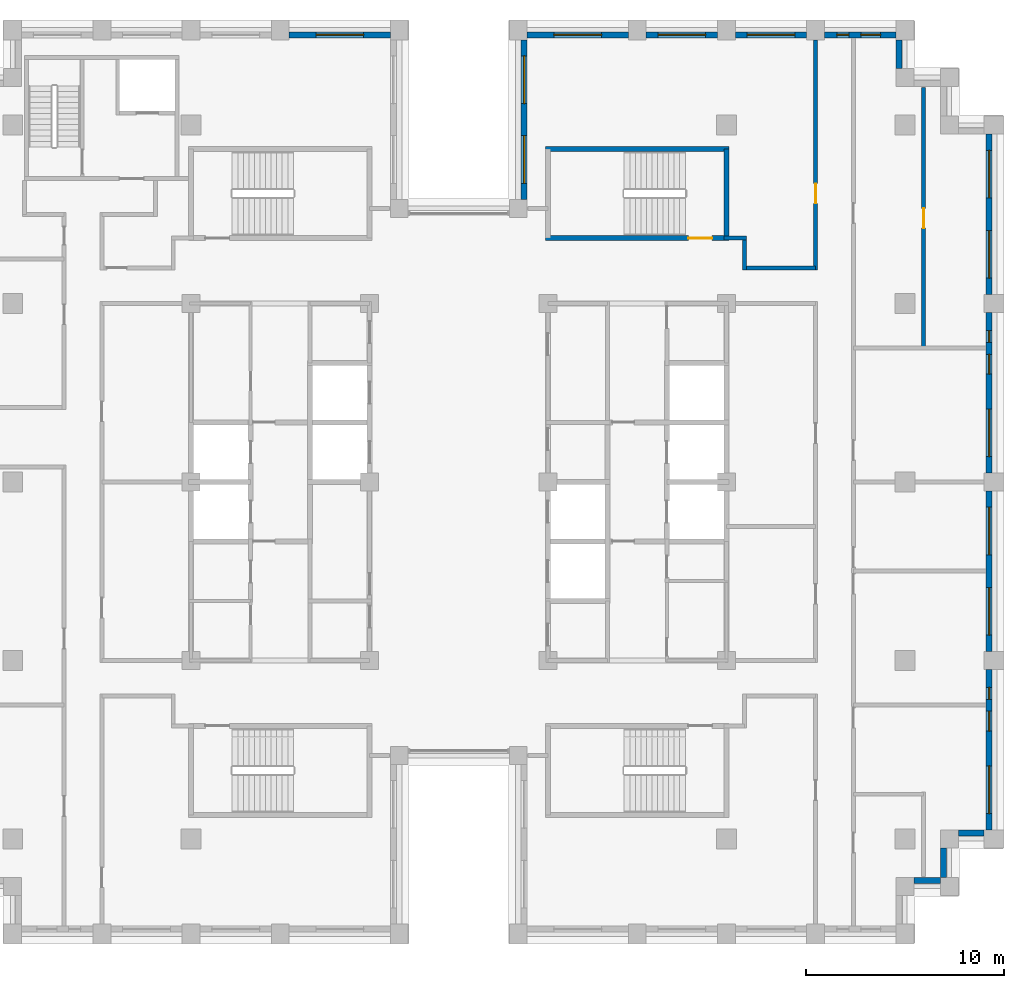
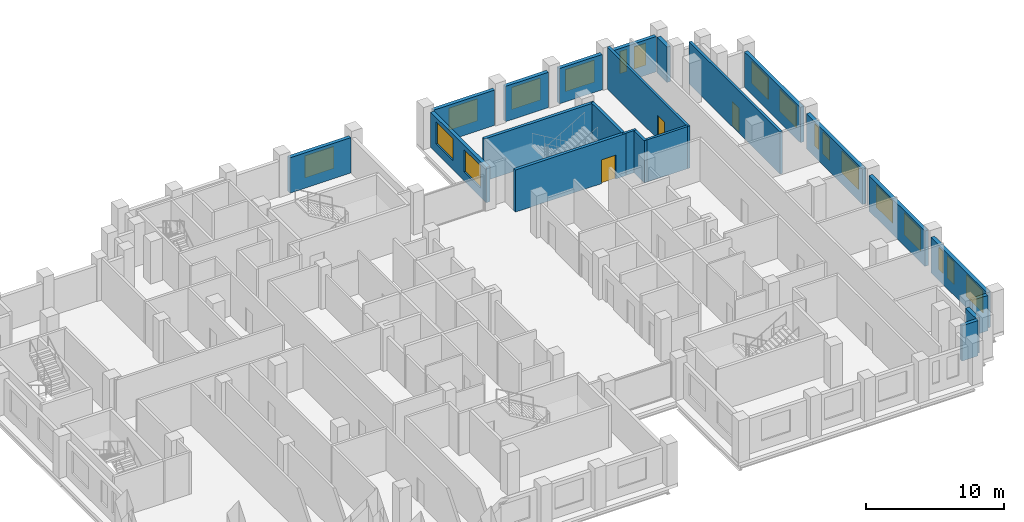
# One storey, part 11 of 15: 22 walls, 18 windows, 3 doors, 21 openings.
"""IFC4 building model written with IfcOpenShell, lengths in metres."""

from ifc_helpers import new_model, si_unit, direction, frame, frame_2d, origin, place, context, subcontext, project, spatial, rectangle, extrude, material, layer, layer_set, type_object, element, fill, save


model = new_model("IFC4")

# Units and contexts
model_context = context("Model", 3, precision=1e-05, world=origin(), true_north=direction((0.0, 1.0)))
body_context = subcontext(model_context, "Body", "Model", "MODEL_VIEW")
ifc_project = project(units=[si_unit("LENGTHUNIT", "METRE"), si_unit("AREAUNIT", "SQUARE_METRE"), si_unit("VOLUMEUNIT", "CUBIC_METRE"), si_unit("PLANEANGLEUNIT", "RADIAN"), si_unit("MASSUNIT", "GRAM", prefix="KILO")], contexts=[model_context])

# Site, building, storey
site_placement = place(None, origin())
site = spatial("IfcSite", under=ifc_project, at=site_placement, CompositionType="ELEMENT")
building_placement = place(site_placement, origin())
building = spatial("IfcBuilding", under=site, at=building_placement, Name="Corbelhall Arena Tower", CompositionType="ELEMENT")
storey_placement = place(building_placement, frame((0.0, 0.0, 196.0)))
storey = spatial("IfcBuildingStorey", under=building, at=storey_placement, Name="L40", CompositionType="ELEMENT", Elevation=196.0)

# Walls
ifc_material_1 = material(Name="Precast concrete C40/50 with granite facing", Category="masonry")
ifc_layer_1 = layer(ifc_material_1, 0.300048828125)
ifc_layer_set_1 = layer_set([ifc_layer_1], Name="EV-IW1 Infill panel 300")
wall_type_1 = type_object("IfcWallType", Name="EV-IW1 Infill panel 300", PredefinedType="SOLIDWALL", material=ifc_layer_set_1)
wall_1_placement = place(storey_placement, frame((22.949951171875, -20.10009765625, 0.0), z_axis=(0.0, 0.0, 1.0), x_axis=(1.0, 0.0, 0.0)))
element("IfcWall", 1, at=wall_1_placement, inside=storey, type_object=wall_type_1, Name="Infill panel IW1", PredefinedType="SOLIDWALL", context=body_context, shape_type="SweptSolid", body=[
    extrude(rectangle(XDim=1.35009765625, YDim=0.300048828125, at=frame_2d((0.675048828125, 0.0))), origin(), (0.0, 0.0, 1.0), 3.1201171875),
])
wall_2_placement = place(storey_placement, frame((24.449951171875, -19.949951171875, 0.0), z_axis=(0.0, 0.0, 1.0), x_axis=(0.0, 1.0, 0.0)))
element("IfcWall", 2, at=wall_2_placement, inside=storey, type_object=wall_type_1, Name="Infill panel IW1", PredefinedType="SOLIDWALL", context=body_context, shape_type="SweptSolid", body=[
    extrude(rectangle(XDim=1.5, YDim=0.300048828125, at=frame_2d((0.75, 0.0))), origin(), (0.0, 0.0, 1.0), 3.1201171875),
])
wall_3_placement = place(storey_placement, frame((25.199951171875, -17.699951171875, 0.0), z_axis=(0.0, 0.0, 1.0), x_axis=(1.0, 0.0, 0.0)))
element("IfcWall", 3, at=wall_3_placement, inside=storey, type_object=wall_type_1, Name="Infill panel IW1", PredefinedType="SOLIDWALL", context=body_context, shape_type="SweptSolid", body=[
    extrude(rectangle(XDim=1.300048828125, YDim=0.300048828125, at=frame_2d((0.64990234375, 0.0))), origin(), (0.0, 0.0, 1.0), 3.1201171875),
])

# Wall, openings, windows
wall_4_placement = place(storey_placement, frame((26.75, -17.550048828125, 0.0), z_axis=(0.0, 0.0, 1.0), x_axis=(0.0, 1.0, 0.0)))
wall_4 = element("IfcWall", 4, at=wall_4_placement, inside=storey, type_object=wall_type_1, Name="Infill panel IW1", PredefinedType="SOLIDWALL", context=body_context, shape_type="SweptSolid", body=[
    extrude(rectangle(XDim=8.10009765625, YDim=0.300048828125, at=frame_2d((4.050048828125, 0.0))), origin(), (0.0, 0.0, 1.0), 3.1201171875),
])
opening_1_placement = place(wall_4_placement, frame((0.824951171875, 0.0, 0.800048828125)))
opening_1 = element("IfcOpeningElement", 5, at=opening_1_placement, cuts=wall_4, Name="Opening WN1", PredefinedType="OPENING", context=body_context, shape_type="SweptSolid", body=[
    extrude(rectangle(XDim=2.39990234375, YDim=1.949951171875, at=frame_2d((1.199951171875, 0.97509765625))), frame((0.0, 0.14990234375, 0.0), z_axis=(0.0, -1.0, 0.0), x_axis=(1.0, 0.0, 0.0)), (0.0, 0.0, 1.0), 0.300048828125),
])
opening_2_placement = place(wall_4_placement, frame((4.987548828125, 0.0, 0.800048828125)))
opening_2 = element("IfcOpeningElement", 6, at=opening_2_placement, cuts=wall_4, Name="Opening WN6", PredefinedType="OPENING", context=body_context, shape_type="SweptSolid", body=[
    extrude(rectangle(XDim=1.0, YDim=1.949951171875, at=frame_2d((0.5, 0.97509765625))), frame((0.0, 0.14990234375, 0.0), z_axis=(0.0, -1.0, 0.0), x_axis=(1.0, 0.0, 0.0)), (0.0, 0.0, 1.0), 0.300048828125),
])
opening_3_placement = place(wall_4_placement, frame((6.58740234375, 0.0, 0.800048828125)))
opening_3 = element("IfcOpeningElement", 7, at=opening_3_placement, cuts=wall_4, Name="Opening WN5", PredefinedType="OPENING", context=body_context, shape_type="SweptSolid", body=[
    extrude(rectangle(XDim=0.60009765625, YDim=1.949951171875, at=frame_2d((0.300048828125, 0.97509765625))), frame((0.0, 0.14990234375, 0.0), z_axis=(0.0, -1.0, 0.0), x_axis=(1.0, 0.0, 0.0)), (0.0, 0.0, 1.0), 0.300048828125),
])
ifc_material_2 = material(Name="Aluminium black anodised", Category="aluminium")
window_type_1 = type_object("IfcWindowType", Name="EV-WN1 Office window", PartitioningType="SINGLE_PANEL", PredefinedType="WINDOW", material=ifc_material_2)
window_1_placement = place(opening_1_placement, origin())
window_1 = element("IfcWindow", 8, at=window_1_placement, inside=storey, type_object=window_type_1, Name="Window WN1", OverallHeight=1.949951171875, OverallWidth=2.39990234375, PartitioningType="SINGLE_PANEL", PredefinedType="WINDOW", context=body_context, shape_type="SweptSolid", body=[
    extrude(rectangle(XDim=2.39990234375, YDim=1.949951171875, at=frame_2d((1.199951171875, 0.97509765625))), frame((0.0, 0.030029296875, 0.0), z_axis=(0.0, -1.0, 0.0), x_axis=(1.0, 0.0, 0.0)), (0.0, 0.0, 1.0), 0.06005859375),
])
fill(opening_1, window_1)
window_type_2 = type_object("IfcWindowType", Name="EV-WN5 Office window 600", PartitioningType="SINGLE_PANEL", PredefinedType="WINDOW", material=ifc_material_2)
window_2_placement = place(opening_3_placement, origin())
window_2 = element("IfcWindow", 9, at=window_2_placement, inside=storey, type_object=window_type_2, Name="Window WN5", OverallHeight=1.949951171875, OverallWidth=0.60009765625, PartitioningType="SINGLE_PANEL", PredefinedType="WINDOW", context=body_context, shape_type="SweptSolid", body=[
    extrude(rectangle(XDim=0.60009765625, YDim=1.949951171875, at=frame_2d((0.300048828125, 0.97509765625))), frame((0.0, 0.030029296875, 0.0), z_axis=(0.0, -1.0, 0.0), x_axis=(1.0, 0.0, 0.0)), (0.0, 0.0, 1.0), 0.06005859375),
])
fill(opening_3, window_2)
window_type_3 = type_object("IfcWindowType", Name="EV-WN6 Office window 1000", PartitioningType="SINGLE_PANEL", PredefinedType="WINDOW", material=ifc_material_2)
window_3_placement = place(opening_2_placement, origin())
window_3 = element("IfcWindow", 10, at=window_3_placement, inside=storey, type_object=window_type_3, Name="Window WN6", OverallHeight=1.949951171875, OverallWidth=1.0, PartitioningType="SINGLE_PANEL", PredefinedType="WINDOW", context=body_context, shape_type="SweptSolid", body=[
    extrude(rectangle(XDim=1.0, YDim=1.949951171875, at=frame_2d((0.5, 0.97509765625))), frame((0.0, 0.030029296875, 0.0), z_axis=(0.0, -1.0, 0.0), x_axis=(1.0, 0.0, 0.0)), (0.0, 0.0, 1.0), 0.06005859375),
])
fill(opening_2, window_3)

wall_5_placement = place(storey_placement, frame((26.75, -8.550048828125, 0.0), z_axis=(0.0, 0.0, 1.0), x_axis=(0.0, 1.0, 0.0)))
wall_5 = element("IfcWall", 11, at=wall_5_placement, inside=storey, type_object=wall_type_1, Name="Infill panel IW1", PredefinedType="SOLIDWALL", context=body_context, shape_type="SweptSolid", body=[
    extrude(rectangle(XDim=8.10009765625, YDim=0.300048828125, at=frame_2d((4.050048828125, 0.0))), origin(), (0.0, 0.0, 1.0), 3.1201171875),
])
opening_4_placement = place(wall_5_placement, frame((0.824951171875, 0.0, 0.800048828125)))
opening_4 = element("IfcOpeningElement", 12, at=opening_4_placement, cuts=wall_5, Name="Opening WN1", PredefinedType="OPENING", context=body_context, shape_type="SweptSolid", body=[
    extrude(rectangle(XDim=2.39990234375, YDim=1.949951171875, at=frame_2d((1.199951171875, 0.97509765625))), frame((0.0, 0.14990234375, 0.0), z_axis=(0.0, -1.0, 0.0), x_axis=(1.0, 0.0, 0.0)), (0.0, 0.0, 1.0), 0.300048828125),
])
opening_5_placement = place(wall_5_placement, frame((4.875, 0.0, 0.800048828125)))
opening_5 = element("IfcOpeningElement", 13, at=opening_5_placement, cuts=wall_5, Name="Opening WN1", PredefinedType="OPENING", context=body_context, shape_type="SweptSolid", body=[
    extrude(rectangle(XDim=2.39990234375, YDim=1.949951171875, at=frame_2d((1.199951171875, 0.97509765625))), frame((0.0, 0.14990234375, 0.0), z_axis=(0.0, -1.0, 0.0), x_axis=(1.0, 0.0, 0.0)), (0.0, 0.0, 1.0), 0.300048828125),
])
window_4_placement = place(opening_4_placement, origin())
window_4 = element("IfcWindow", 14, at=window_4_placement, inside=storey, type_object=window_type_1, Name="Window WN1", OverallHeight=1.949951171875, OverallWidth=2.39990234375, PartitioningType="SINGLE_PANEL", PredefinedType="WINDOW", context=body_context, shape_type="SweptSolid", body=[
    extrude(rectangle(XDim=2.39990234375, YDim=1.949951171875, at=frame_2d((1.199951171875, 0.97509765625))), frame((0.0, 0.030029296875, 0.0), z_axis=(0.0, -1.0, 0.0), x_axis=(1.0, 0.0, 0.0)), (0.0, 0.0, 1.0), 0.06005859375),
])
fill(opening_4, window_4)
window_5_placement = place(opening_5_placement, origin())
window_5 = element("IfcWindow", 15, at=window_5_placement, inside=storey, type_object=window_type_1, Name="Window WN1", OverallHeight=1.949951171875, OverallWidth=2.39990234375, PartitioningType="SINGLE_PANEL", PredefinedType="WINDOW", context=body_context, shape_type="SweptSolid", body=[
    extrude(rectangle(XDim=2.39990234375, YDim=1.949951171875, at=frame_2d((1.199951171875, 0.97509765625))), frame((0.0, 0.030029296875, 0.0), z_axis=(0.0, -1.0, 0.0), x_axis=(1.0, 0.0, 0.0)), (0.0, 0.0, 1.0), 0.06005859375),
])
fill(opening_5, window_5)

wall_6_placement = place(storey_placement, frame((26.75, 0.449951171875, 0.0), z_axis=(0.0, 0.0, 1.0), x_axis=(0.0, 1.0, 0.0)))
wall_6 = element("IfcWall", 16, at=wall_6_placement, inside=storey, type_object=wall_type_1, Name="Infill panel IW1", PredefinedType="SOLIDWALL", context=body_context, shape_type="SweptSolid", body=[
    extrude(rectangle(XDim=8.10009765625, YDim=0.300048828125, at=frame_2d((4.050048828125, 0.0))), origin(), (0.0, 0.0, 1.0), 3.1201171875),
])
opening_6_placement = place(wall_6_placement, frame((0.824951171875, 0.0, 0.800048828125)))
opening_6 = element("IfcOpeningElement", 17, at=opening_6_placement, cuts=wall_6, Name="Opening WN1", PredefinedType="OPENING", context=body_context, shape_type="SweptSolid", body=[
    extrude(rectangle(XDim=2.39990234375, YDim=1.949951171875, at=frame_2d((1.199951171875, 0.97509765625))), frame((0.0, 0.14990234375, 0.0), z_axis=(0.0, -1.0, 0.0), x_axis=(1.0, 0.0, 0.0)), (0.0, 0.0, 1.0), 0.300048828125),
])
opening_7_placement = place(wall_6_placement, frame((4.987548828125, 0.0, 0.800048828125)))
opening_7 = element("IfcOpeningElement", 18, at=opening_7_placement, cuts=wall_6, Name="Opening WN6", PredefinedType="OPENING", context=body_context, shape_type="SweptSolid", body=[
    extrude(rectangle(XDim=1.0, YDim=1.949951171875, at=frame_2d((0.5, 0.97509765625))), frame((0.0, 0.14990234375, 0.0), z_axis=(0.0, -1.0, 0.0), x_axis=(1.0, 0.0, 0.0)), (0.0, 0.0, 1.0), 0.300048828125),
])
opening_8_placement = place(wall_6_placement, frame((6.58740234375, 0.0, 0.800048828125)))
opening_8 = element("IfcOpeningElement", 19, at=opening_8_placement, cuts=wall_6, Name="Opening WN5", PredefinedType="OPENING", context=body_context, shape_type="SweptSolid", body=[
    extrude(rectangle(XDim=0.60009765625, YDim=1.949951171875, at=frame_2d((0.300048828125, 0.97509765625))), frame((0.0, 0.14990234375, 0.0), z_axis=(0.0, -1.0, 0.0), x_axis=(1.0, 0.0, 0.0)), (0.0, 0.0, 1.0), 0.300048828125),
])
window_6_placement = place(opening_6_placement, origin())
window_6 = element("IfcWindow", 20, at=window_6_placement, inside=storey, type_object=window_type_1, Name="Window WN1", OverallHeight=1.949951171875, OverallWidth=2.39990234375, PartitioningType="SINGLE_PANEL", PredefinedType="WINDOW", context=body_context, shape_type="SweptSolid", body=[
    extrude(rectangle(XDim=2.39990234375, YDim=1.949951171875, at=frame_2d((1.199951171875, 0.97509765625))), frame((0.0, 0.030029296875, 0.0), z_axis=(0.0, -1.0, 0.0), x_axis=(1.0, 0.0, 0.0)), (0.0, 0.0, 1.0), 0.06005859375),
])
fill(opening_6, window_6)
window_7_placement = place(opening_8_placement, origin())
window_7 = element("IfcWindow", 21, at=window_7_placement, inside=storey, type_object=window_type_2, Name="Window WN5", OverallHeight=1.949951171875, OverallWidth=0.60009765625, PartitioningType="SINGLE_PANEL", PredefinedType="WINDOW", context=body_context, shape_type="SweptSolid", body=[
    extrude(rectangle(XDim=0.60009765625, YDim=1.949951171875, at=frame_2d((0.300048828125, 0.97509765625))), frame((0.0, 0.030029296875, 0.0), z_axis=(0.0, -1.0, 0.0), x_axis=(1.0, 0.0, 0.0)), (0.0, 0.0, 1.0), 0.06005859375),
])
fill(opening_8, window_7)
window_8_placement = place(opening_7_placement, origin())
window_8 = element("IfcWindow", 22, at=window_8_placement, inside=storey, type_object=window_type_3, Name="Window WN6", OverallHeight=1.949951171875, OverallWidth=1.0, PartitioningType="SINGLE_PANEL", PredefinedType="WINDOW", context=body_context, shape_type="SweptSolid", body=[
    extrude(rectangle(XDim=1.0, YDim=1.949951171875, at=frame_2d((0.5, 0.97509765625))), frame((0.0, 0.030029296875, 0.0), z_axis=(0.0, -1.0, 0.0), x_axis=(1.0, 0.0, 0.0)), (0.0, 0.0, 1.0), 0.06005859375),
])
fill(opening_7, window_8)

wall_7_placement = place(storey_placement, frame((26.75, 9.449951171875, 0.0), z_axis=(0.0, 0.0, 1.0), x_axis=(0.0, 1.0, 0.0)))
wall_7 = element("IfcWall", 23, at=wall_7_placement, inside=storey, type_object=wall_type_1, Name="Infill panel IW1", PredefinedType="SOLIDWALL", context=body_context, shape_type="SweptSolid", body=[
    extrude(rectangle(XDim=8.10009765625, YDim=0.300048828125, at=frame_2d((4.050048828125, 0.0))), origin(), (0.0, 0.0, 1.0), 3.1201171875),
])
opening_9_placement = place(wall_7_placement, frame((0.824951171875, 0.0, 0.800048828125)))
opening_9 = element("IfcOpeningElement", 24, at=opening_9_placement, cuts=wall_7, Name="Opening WN1", PredefinedType="OPENING", context=body_context, shape_type="SweptSolid", body=[
    extrude(rectangle(XDim=2.39990234375, YDim=1.949951171875, at=frame_2d((1.199951171875, 0.97509765625))), frame((0.0, 0.14990234375, 0.0), z_axis=(0.0, -1.0, 0.0), x_axis=(1.0, 0.0, 0.0)), (0.0, 0.0, 1.0), 0.300048828125),
])
opening_10_placement = place(wall_7_placement, frame((4.875, 0.0, 0.800048828125)))
opening_10 = element("IfcOpeningElement", 25, at=opening_10_placement, cuts=wall_7, Name="Opening WN1", PredefinedType="OPENING", context=body_context, shape_type="SweptSolid", body=[
    extrude(rectangle(XDim=2.39990234375, YDim=1.949951171875, at=frame_2d((1.199951171875, 0.97509765625))), frame((0.0, 0.14990234375, 0.0), z_axis=(0.0, -1.0, 0.0), x_axis=(1.0, 0.0, 0.0)), (0.0, 0.0, 1.0), 0.300048828125),
])
window_9_placement = place(opening_9_placement, origin())
window_9 = element("IfcWindow", 26, at=window_9_placement, inside=storey, type_object=window_type_1, Name="Window WN1", OverallHeight=1.949951171875, OverallWidth=2.39990234375, PartitioningType="SINGLE_PANEL", PredefinedType="WINDOW", context=body_context, shape_type="SweptSolid", body=[
    extrude(rectangle(XDim=2.39990234375, YDim=1.949951171875, at=frame_2d((1.199951171875, 0.97509765625))), frame((0.0, 0.030029296875, 0.0), z_axis=(0.0, -1.0, 0.0), x_axis=(1.0, 0.0, 0.0)), (0.0, 0.0, 1.0), 0.06005859375),
])
fill(opening_9, window_9)
window_10_placement = place(opening_10_placement, origin())
window_10 = element("IfcWindow", 27, at=window_10_placement, inside=storey, type_object=window_type_1, Name="Window WN1", OverallHeight=1.949951171875, OverallWidth=2.39990234375, PartitioningType="SINGLE_PANEL", PredefinedType="WINDOW", context=body_context, shape_type="SweptSolid", body=[
    extrude(rectangle(XDim=2.39990234375, YDim=1.949951171875, at=frame_2d((1.199951171875, 0.97509765625))), frame((0.0, 0.030029296875, 0.0), z_axis=(0.0, -1.0, 0.0), x_axis=(1.0, 0.0, 0.0)), (0.0, 0.0, 1.0), 0.06005859375),
])
fill(opening_10, window_10)

# Wall
wall_8_placement = place(storey_placement, frame((22.199951171875, 20.85009765625, 0.0), z_axis=(0.0, 0.0, 1.0), x_axis=(0.0, 1.0, 0.0)))
element("IfcWall", 28, at=wall_8_placement, inside=storey, type_object=wall_type_1, Name="Infill panel IW1", PredefinedType="SOLIDWALL", context=body_context, shape_type="SweptSolid", body=[
    extrude(rectangle(XDim=1.449951171875, YDim=0.300048828125, at=frame_2d((0.72509765625, 0.0))), origin(), (0.0, 0.0, 1.0), 3.1201171875),
])

# Wall, openings, windows
wall_9_placement = place(storey_placement, frame((22.050048828125, 22.550048828125, 0.0), z_axis=(0.0, 0.0, 1.0), x_axis=(-1.0, 0.0, 0.0)))
wall_9 = element("IfcWall", 29, at=wall_9_placement, inside=storey, type_object=wall_type_1, Name="Infill panel IW1", PredefinedType="SOLIDWALL", context=body_context, shape_type="SweptSolid", body=[
    extrude(rectangle(XDim=3.60009765625, YDim=0.300048828125, at=frame_2d((1.800048828125, 0.0))), origin(), (0.0, 0.0, 1.0), 3.1201171875),
])
opening_11_placement = place(wall_9_placement, frame((0.77490234375, 0.0, 0.800048828125)))
opening_11 = element("IfcOpeningElement", 30, at=opening_11_placement, cuts=wall_9, Name="Opening WN6", PredefinedType="OPENING", context=body_context, shape_type="SweptSolid", body=[
    extrude(rectangle(XDim=1.0, YDim=1.949951171875, at=frame_2d((0.5, 0.97509765625))), frame((0.0, 0.14990234375, 0.0), z_axis=(0.0, -1.0, 0.0), x_axis=(1.0, 0.0, 0.0)), (0.0, 0.0, 1.0), 0.300048828125),
])
opening_12_placement = place(wall_9_placement, frame((2.375, 0.0, 0.800048828125)))
opening_12 = element("IfcOpeningElement", 31, at=opening_12_placement, cuts=wall_9, Name="Opening WN5", PredefinedType="OPENING", context=body_context, shape_type="SweptSolid", body=[
    extrude(rectangle(XDim=0.60009765625, YDim=1.949951171875, at=frame_2d((0.300048828125, 0.97509765625))), frame((0.0, 0.14990234375, 0.0), z_axis=(0.0, -1.0, 0.0), x_axis=(1.0, 0.0, 0.0)), (0.0, 0.0, 1.0), 0.300048828125),
])
window_11_placement = place(opening_12_placement, origin())
window_11 = element("IfcWindow", 32, at=window_11_placement, inside=storey, type_object=window_type_2, Name="Window WN5", OverallHeight=1.949951171875, OverallWidth=0.60009765625, PartitioningType="SINGLE_PANEL", PredefinedType="WINDOW", context=body_context, shape_type="SweptSolid", body=[
    extrude(rectangle(XDim=0.60009765625, YDim=1.949951171875, at=frame_2d((0.300048828125, 0.97509765625))), frame((0.0, 0.030029296875, 0.0), z_axis=(0.0, -1.0, 0.0), x_axis=(1.0, 0.0, 0.0)), (0.0, 0.0, 1.0), 0.06005859375),
])
fill(opening_12, window_11)
window_12_placement = place(opening_11_placement, origin())
window_12 = element("IfcWindow", 33, at=window_12_placement, inside=storey, type_object=window_type_3, Name="Window WN6", OverallHeight=1.949951171875, OverallWidth=1.0, PartitioningType="SINGLE_PANEL", PredefinedType="WINDOW", context=body_context, shape_type="SweptSolid", body=[
    extrude(rectangle(XDim=1.0, YDim=1.949951171875, at=frame_2d((0.5, 0.97509765625))), frame((0.0, 0.030029296875, 0.0), z_axis=(0.0, -1.0, 0.0), x_axis=(1.0, 0.0, 0.0)), (0.0, 0.0, 1.0), 0.06005859375),
])
fill(opening_11, window_12)

# Wall, opening, window
wall_10_placement = place(storey_placement, frame((17.550048828125, 22.550048828125, 0.0), z_axis=(0.0, 0.0, 1.0), x_axis=(-1.0, 0.0, 0.0)))
wall_10 = element("IfcWall", 34, at=wall_10_placement, inside=storey, type_object=wall_type_1, Name="Infill panel IW1", PredefinedType="SOLIDWALL", context=body_context, shape_type="SweptSolid", body=[
    extrude(rectangle(XDim=3.60009765625, YDim=0.300048828125, at=frame_2d((1.800048828125, 0.0))), origin(), (0.0, 0.0, 1.0), 3.1201171875),
])
opening_13_placement = place(wall_10_placement, frame((0.60009765625, 0.0, 0.800048828125)))
opening_13 = element("IfcOpeningElement", 35, at=opening_13_placement, cuts=wall_10, Name="Opening WN1", PredefinedType="OPENING", context=body_context, shape_type="SweptSolid", body=[
    extrude(rectangle(XDim=2.39990234375, YDim=1.949951171875, at=frame_2d((1.199951171875, 0.97509765625))), frame((0.0, 0.14990234375, 0.0), z_axis=(0.0, -1.0, 0.0), x_axis=(1.0, 0.0, 0.0)), (0.0, 0.0, 1.0), 0.300048828125),
])
window_13_placement = place(opening_13_placement, origin())
window_13 = element("IfcWindow", 36, at=window_13_placement, inside=storey, type_object=window_type_1, Name="Window WN1", OverallHeight=1.949951171875, OverallWidth=2.39990234375, PartitioningType="SINGLE_PANEL", PredefinedType="WINDOW", context=body_context, shape_type="SweptSolid", body=[
    extrude(rectangle(XDim=2.39990234375, YDim=1.949951171875, at=frame_2d((1.199951171875, 0.97509765625))), frame((0.0, 0.030029296875, 0.0), z_axis=(0.0, -1.0, 0.0), x_axis=(1.0, 0.0, 0.0)), (0.0, 0.0, 1.0), 0.06005859375),
])
fill(opening_13, window_13)

wall_11_placement = place(storey_placement, frame((13.050048828125, 22.550048828125, 0.0), z_axis=(0.0, 0.0, 1.0), x_axis=(-1.0, 0.0, 0.0)))
wall_11 = element("IfcWall", 37, at=wall_11_placement, inside=storey, type_object=wall_type_1, Name="Infill panel IW1", PredefinedType="SOLIDWALL", context=body_context, shape_type="SweptSolid", body=[
    extrude(rectangle(XDim=3.60009765625, YDim=0.300048828125, at=frame_2d((1.800048828125, 0.0))), origin(), (0.0, 0.0, 1.0), 3.1201171875),
])
opening_14_placement = place(wall_11_placement, frame((0.60009765625, 0.0, 0.800048828125)))
opening_14 = element("IfcOpeningElement", 38, at=opening_14_placement, cuts=wall_11, Name="Opening WN1", PredefinedType="OPENING", context=body_context, shape_type="SweptSolid", body=[
    extrude(rectangle(XDim=2.39990234375, YDim=1.949951171875, at=frame_2d((1.199951171875, 0.97509765625))), frame((0.0, 0.14990234375, 0.0), z_axis=(0.0, -1.0, 0.0), x_axis=(1.0, 0.0, 0.0)), (0.0, 0.0, 1.0), 0.300048828125),
])
window_14_placement = place(opening_14_placement, origin())
window_14 = element("IfcWindow", 39, at=window_14_placement, inside=storey, type_object=window_type_1, Name="Window WN1", OverallHeight=1.949951171875, OverallWidth=2.39990234375, PartitioningType="SINGLE_PANEL", PredefinedType="WINDOW", context=body_context, shape_type="SweptSolid", body=[
    extrude(rectangle(XDim=2.39990234375, YDim=1.949951171875, at=frame_2d((1.199951171875, 0.97509765625))), frame((0.0, 0.030029296875, 0.0), z_axis=(0.0, -1.0, 0.0), x_axis=(1.0, 0.0, 0.0)), (0.0, 0.0, 1.0), 0.06005859375),
])
fill(opening_14, window_14)

wall_12_placement = place(storey_placement, frame((8.550048828125, 22.550048828125, 0.0), z_axis=(0.0, 0.0, 1.0), x_axis=(-1.0, 0.0, 0.0)))
wall_12 = element("IfcWall", 40, at=wall_12_placement, inside=storey, type_object=wall_type_1, Name="Infill panel IW1", PredefinedType="SOLIDWALL", context=body_context, shape_type="SweptSolid", body=[
    extrude(rectangle(XDim=5.10009765625, YDim=0.300048828125, at=frame_2d((2.550048828125, 0.0))), origin(), (0.0, 0.0, 1.0), 3.1201171875),
])
opening_15_placement = place(wall_12_placement, frame((1.35009765625, 0.0, 0.800048828125)))
opening_15 = element("IfcOpeningElement", 41, at=opening_15_placement, cuts=wall_12, Name="Opening WN1", PredefinedType="OPENING", context=body_context, shape_type="SweptSolid", body=[
    extrude(rectangle(XDim=2.39990234375, YDim=1.949951171875, at=frame_2d((1.199951171875, 0.97509765625))), frame((0.0, 0.14990234375, 0.0), z_axis=(0.0, -1.0, 0.0), x_axis=(1.0, 0.0, 0.0)), (0.0, 0.0, 1.0), 0.300048828125),
])
window_15_placement = place(opening_15_placement, origin())
window_15 = element("IfcWindow", 42, at=window_15_placement, inside=storey, type_object=window_type_1, Name="Window WN1", OverallHeight=1.949951171875, OverallWidth=2.39990234375, PartitioningType="SINGLE_PANEL", PredefinedType="WINDOW", context=body_context, shape_type="SweptSolid", body=[
    extrude(rectangle(XDim=2.39990234375, YDim=1.949951171875, at=frame_2d((1.199951171875, 0.97509765625))), frame((0.0, 0.030029296875, 0.0), z_axis=(0.0, -1.0, 0.0), x_axis=(1.0, 0.0, 0.0)), (0.0, 0.0, 1.0), 0.06005859375),
])
fill(opening_15, window_15)

# Wall, openings, windows
wall_13_placement = place(storey_placement, frame((3.300048828125, 22.300048828125, 0.0), z_axis=(0.0, 0.0, 1.0), x_axis=(0.0, -1.0, 0.0)))
wall_13 = element("IfcWall", 43, at=wall_13_placement, inside=storey, type_object=wall_type_1, Name="Infill panel IW1", PredefinedType="SOLIDWALL", context=body_context, shape_type="SweptSolid", body=[
    extrude(rectangle(XDim=8.050048828125, YDim=0.300048828125, at=frame_2d((4.02490234375, 0.0))), origin(), (0.0, 0.0, 1.0), 3.1201171875),
])
opening_16_placement = place(wall_13_placement, frame((0.8125, 0.0, 0.800048828125)))
opening_16 = element("IfcOpeningElement", 44, at=opening_16_placement, cuts=wall_13, Name="Opening WN1", PredefinedType="OPENING", context=body_context, shape_type="SweptSolid", body=[
    extrude(rectangle(XDim=2.39990234375, YDim=1.949951171875, at=frame_2d((1.199951171875, 0.97509765625))), frame((0.0, 0.14990234375, 0.0), z_axis=(0.0, -1.0, 0.0), x_axis=(1.0, 0.0, 0.0)), (0.0, 0.0, 1.0), 0.300048828125),
])
opening_17_placement = place(wall_13_placement, frame((4.83740234375, 0.0, 0.800048828125)))
opening_17 = element("IfcOpeningElement", 45, at=opening_17_placement, cuts=wall_13, Name="Opening WN1", PredefinedType="OPENING", context=body_context, shape_type="SweptSolid", body=[
    extrude(rectangle(XDim=2.39990234375, YDim=1.949951171875, at=frame_2d((1.199951171875, 0.97509765625))), frame((0.0, 0.14990234375, 0.0), z_axis=(0.0, -1.0, 0.0), x_axis=(1.0, 0.0, 0.0)), (0.0, 0.0, 1.0), 0.300048828125),
])
window_16_placement = place(opening_16_placement, origin())
window_16 = element("IfcWindow", 46, at=window_16_placement, inside=storey, type_object=window_type_1, Name="Window WN1", OverallHeight=1.949951171875, OverallWidth=2.39990234375, PartitioningType="SINGLE_PANEL", PredefinedType="WINDOW", context=body_context, shape_type="SweptSolid", body=[
    extrude(rectangle(XDim=2.39990234375, YDim=1.949951171875, at=frame_2d((1.199951171875, 0.97509765625))), frame((0.0, 0.030029296875, 0.0), z_axis=(0.0, -1.0, 0.0), x_axis=(1.0, 0.0, 0.0)), (0.0, 0.0, 1.0), 0.06005859375),
])
fill(opening_16, window_16)
window_17_placement = place(opening_17_placement, origin())
window_17 = element("IfcWindow", 47, at=window_17_placement, inside=storey, type_object=window_type_1, Name="Window WN1", OverallHeight=1.949951171875, OverallWidth=2.39990234375, PartitioningType="SINGLE_PANEL", PredefinedType="WINDOW", context=body_context, shape_type="SweptSolid", body=[
    extrude(rectangle(XDim=2.39990234375, YDim=1.949951171875, at=frame_2d((1.199951171875, 0.97509765625))), frame((0.0, 0.030029296875, 0.0), z_axis=(0.0, -1.0, 0.0), x_axis=(1.0, 0.0, 0.0)), (0.0, 0.0, 1.0), 0.06005859375),
])
fill(opening_17, window_17)

# Wall, opening, window
wall_14_placement = place(storey_placement, frame((-3.449951171875, 22.550048828125, 0.0), z_axis=(0.0, 0.0, 1.0), x_axis=(-1.0, 0.0, 0.0)))
wall_14 = element("IfcWall", 48, at=wall_14_placement, inside=storey, type_object=wall_type_1, Name="Infill panel IW1", PredefinedType="SOLIDWALL", context=body_context, shape_type="SweptSolid", body=[
    extrude(rectangle(XDim=5.10009765625, YDim=0.300048828125, at=frame_2d((2.550048828125, 0.0))), origin(), (0.0, 0.0, 1.0), 3.1201171875),
])
opening_18_placement = place(wall_14_placement, frame((1.35009765625, 0.0, 0.800048828125)))
opening_18 = element("IfcOpeningElement", 49, at=opening_18_placement, cuts=wall_14, Name="Opening WN1", PredefinedType="OPENING", context=body_context, shape_type="SweptSolid", body=[
    extrude(rectangle(XDim=2.39990234375, YDim=1.949951171875, at=frame_2d((1.199951171875, 0.97509765625))), frame((0.0, 0.14990234375, 0.0), z_axis=(0.0, -1.0, 0.0), x_axis=(1.0, 0.0, 0.0)), (0.0, 0.0, 1.0), 0.300048828125),
])
window_18_placement = place(opening_18_placement, origin())
window_18 = element("IfcWindow", 50, at=window_18_placement, inside=storey, type_object=window_type_1, Name="Window WN1", OverallHeight=1.949951171875, OverallWidth=2.39990234375, PartitioningType="SINGLE_PANEL", PredefinedType="WINDOW", context=body_context, shape_type="SweptSolid", body=[
    extrude(rectangle(XDim=2.39990234375, YDim=1.949951171875, at=frame_2d((1.199951171875, 0.97509765625))), frame((0.0, 0.030029296875, 0.0), z_axis=(0.0, -1.0, 0.0), x_axis=(1.0, 0.0, 0.0)), (0.0, 0.0, 1.0), 0.06005859375),
])
fill(opening_18, window_18)

# Walls
ifc_material_3 = material(Name="Gypsum board on steel stud, acoustic", Category="steel")
ifc_layer_2 = layer(ifc_material_3, 0.199951171875)
ifc_layer_set_2 = layer_set([ifc_layer_2], Name="IN-W-DM200")
wall_type_2 = type_object("IfcWallType", Name="IN-W-DM200", PredefinedType="PARTITIONING", material=ifc_layer_set_2)
wall_15_placement = place(storey_placement, frame((13.375, 12.300048828125, 0.0), z_axis=(0.0, 0.0, 1.0), x_axis=(1.0, 0.0, 0.0)))
element("IfcWall", 51, at=wall_15_placement, inside=storey, type_object=wall_type_2, Name="Partition 036", PredefinedType="PARTITIONING", context=body_context, shape_type="SweptSolid", body=[
    extrude(rectangle(XDim=1.125, YDim=0.199951171875, at=frame_2d((0.5625, 0.0))), origin(), (0.0, 0.0, 1.0), 3.719970703125),
])
wall_16_placement = place(storey_placement, frame((14.39990234375, 10.800048828125, 0.0), z_axis=(0.0, 0.0, 1.0), x_axis=(1.0, 0.0, 0.0)))
element("IfcWall", 52, at=wall_16_placement, inside=storey, type_object=wall_type_2, Name="Partition 042", PredefinedType="PARTITIONING", context=body_context, shape_type="SweptSolid", body=[
    extrude(rectangle(XDim=3.60009765625, YDim=0.199951171875, at=frame_2d((1.800048828125, 0.0))), origin(), (0.0, 0.0, 1.0), 3.719970703125),
])
wall_17_placement = place(storey_placement, frame((14.39990234375, 12.300048828125, 0.0), z_axis=(0.0, 0.0, 1.0), x_axis=(0.0, -1.0, 0.0)))
element("IfcWall", 53, at=wall_17_placement, inside=storey, type_object=wall_type_2, Name="Partition 043", PredefinedType="PARTITIONING", context=body_context, shape_type="SweptSolid", body=[
    extrude(rectangle(XDim=1.60009765625, YDim=0.199951171875, at=frame_2d((0.800048828125, 0.0))), origin(), (0.0, 0.0, 1.0), 3.719970703125),
])

# Wall, opening, door
wall_18_placement = place(storey_placement, frame((18.0, 10.699951171875, 0.0), z_axis=(0.0, 0.0, 1.0), x_axis=(0.0, 1.0, 0.0)))
wall_18 = element("IfcWall", 54, at=wall_18_placement, inside=storey, type_object=wall_type_2, Name="Partition 047", PredefinedType="PARTITIONING", context=body_context, shape_type="SweptSolid", body=[
    extrude(rectangle(XDim=11.60009765625, YDim=0.199951171875, at=frame_2d((5.800048828125, 0.0))), origin(), (0.0, 0.0, 1.0), 3.719970703125),
])
opening_19_placement = place(wall_18_placement, frame((3.35009765625, 0.0, 0.0)))
opening_19 = element("IfcOpeningElement", 55, at=opening_19_placement, cuts=wall_18, Name="Opening 12028", PredefinedType="OPENING", context=body_context, shape_type="SweptSolid", body=[
    extrude(rectangle(XDim=1.0, YDim=2.10009765625, at=frame_2d((0.5, 1.050048828125))), frame((0.0, 0.10009765625, 0.0), z_axis=(0.0, -1.0, 0.0), x_axis=(1.0, 0.0, 0.0)), (0.0, 0.0, 1.0), 0.199951171875),
])
ifc_material_4 = material(Name="Steel door set", Category="steel")
door_type_1 = type_object("IfcDoorType", Name="IN-D-SW100", OperationType="NOTDEFINED", PredefinedType="DOOR", material=ifc_material_4)
door_1_placement = place(opening_19_placement, origin())
door_1 = element("IfcDoor", 56, at=door_1_placement, inside=storey, type_object=door_type_1, Name="Door 028", OperationType="SINGLE_SWING_LEFT", OverallHeight=2.10009765625, OverallWidth=1.0, PredefinedType="DOOR", context=body_context, shape_type="SweptSolid", body=[
    extrude(rectangle(XDim=1.0, YDim=2.10009765625, at=frame_2d((0.5, 1.050048828125))), frame((0.0, 0.02490234375, 0.0), z_axis=(0.0, -1.0, 0.0), x_axis=(1.0, 0.0, 0.0)), (0.0, 0.0, 1.0), 0.050048828125),
])
fill(opening_19, door_1)

wall_19_placement = place(storey_placement, frame((23.449951171875, 19.89990234375, 0.0), z_axis=(0.0, 0.0, 1.0), x_axis=(0.0, -1.0, 0.0)))
wall_19 = element("IfcWall", 57, at=wall_19_placement, inside=storey, type_object=wall_type_2, Name="Partition 055", PredefinedType="PARTITIONING", context=body_context, shape_type="SweptSolid", body=[
    extrude(rectangle(XDim=13.14990234375, YDim=0.199951171875, at=frame_2d((6.574951171875, 0.0))), origin(), (0.0, 0.0, 1.0), 3.719970703125),
])
opening_20_placement = place(wall_19_placement, frame((6.10009765625, 0.0, 0.0)))
opening_20 = element("IfcOpeningElement", 58, at=opening_20_placement, cuts=wall_19, Name="Opening 12038", PredefinedType="OPENING", context=body_context, shape_type="SweptSolid", body=[
    extrude(rectangle(XDim=1.0, YDim=2.10009765625, at=frame_2d((0.5, 1.050048828125))), frame((0.0, 0.10009765625, 0.0), z_axis=(0.0, -1.0, 0.0), x_axis=(1.0, 0.0, 0.0)), (0.0, 0.0, 1.0), 0.199951171875),
])
door_2_placement = place(opening_20_placement, origin())
door_2 = element("IfcDoor", 59, at=door_2_placement, inside=storey, type_object=door_type_1, Name="Door 038", OperationType="SINGLE_SWING_LEFT", OverallHeight=2.10009765625, OverallWidth=1.0, PredefinedType="DOOR", context=body_context, shape_type="SweptSolid", body=[
    extrude(rectangle(XDim=1.0, YDim=2.10009765625, at=frame_2d((0.5, 1.050048828125))), frame((0.0, 0.02490234375, 0.0), z_axis=(0.0, -1.0, 0.0), x_axis=(1.0, 0.0, 0.0)), (0.0, 0.0, 1.0), 0.050048828125),
])
fill(opening_20, door_2)

ifc_material_5 = material(Name="Concrete C40/50", Category="concrete")
ifc_layer_3 = layer(ifc_material_5, 0.25)
ifc_layer_set_3 = layer_set([ifc_layer_3], Name="IN-W-ST250")
wall_type_3 = type_object("IfcWallType", Name="IN-W-ST250", PredefinedType="SOLIDWALL", material=ifc_layer_set_3)
wall_20_placement = place(storey_placement, frame((4.375, 12.300048828125, 0.0), z_axis=(0.0, 0.0, 1.0), x_axis=(1.0, 0.0, 0.0)))
wall_20 = element("IfcWall", 60, at=wall_20_placement, inside=storey, type_object=wall_type_3, Name="Shaft wall 110", PredefinedType="SOLIDWALL", context=body_context, shape_type="SweptSolid", body=[
    extrude(rectangle(XDim=9.25, YDim=0.25, at=frame_2d((4.625, 0.0))), origin(), (0.0, 0.0, 1.0), 3.719970703125),
])
opening_21_placement = place(wall_20_placement, frame((7.199951171875, 0.0, 0.0)))
opening_21 = element("IfcOpeningElement", 61, at=opening_21_placement, cuts=wall_20, Name="Opening 12019", PredefinedType="OPENING", context=body_context, shape_type="SweptSolid", body=[
    extrude(rectangle(XDim=1.199951171875, YDim=2.10009765625, at=frame_2d((0.60009765625, 1.050048828125))), frame((0.0, 0.125, 0.0), z_axis=(0.0, -1.0, 0.0), x_axis=(1.0, 0.0, 0.0)), (0.0, 0.0, 1.0), 0.25),
])
door_type_2 = type_object("IfcDoorType", Name="IN-D-ST120", OperationType="NOTDEFINED", PredefinedType="DOOR", material=ifc_material_4)
door_3_placement = place(opening_21_placement, origin())
door_3 = element("IfcDoor", 62, at=door_3_placement, inside=storey, type_object=door_type_2, Name="Door 019", OperationType="SINGLE_SWING_RIGHT", OverallHeight=2.10009765625, OverallWidth=1.199951171875, PredefinedType="DOOR", context=body_context, shape_type="SweptSolid", body=[
    extrude(rectangle(XDim=1.199951171875, YDim=2.10009765625, at=frame_2d((0.60009765625, 1.050048828125))), frame((0.0, 0.02490234375, 0.0), z_axis=(0.0, -1.0, 0.0), x_axis=(1.0, 0.0, 0.0)), (0.0, 0.0, 1.0), 0.050048828125),
])
fill(opening_21, door_3)

# Walls
wall_21_placement = place(storey_placement, frame((4.375, 16.800048828125, 0.0), z_axis=(0.0, 0.0, 1.0), x_axis=(1.0, 0.0, 0.0)))
element("IfcWall", 63, at=wall_21_placement, inside=storey, type_object=wall_type_3, Name="Shaft wall 111", PredefinedType="SOLIDWALL", context=body_context, shape_type="SweptSolid", body=[
    extrude(rectangle(XDim=9.25, YDim=0.25, at=frame_2d((4.625, 0.0))), origin(), (0.0, 0.0, 1.0), 3.719970703125),
])
wall_22_placement = place(storey_placement, frame((13.5, 16.800048828125, 0.0), z_axis=(0.0, 0.0, 1.0), x_axis=(0.0, -1.0, 0.0)))
element("IfcWall", 64, at=wall_22_placement, inside=storey, type_object=wall_type_3, Name="Shaft wall 116", PredefinedType="SOLIDWALL", context=body_context, shape_type="SweptSolid", body=[
    extrude(rectangle(XDim=4.5, YDim=0.25, at=frame_2d((2.25, 0.0))), origin(), (0.0, 0.0, 1.0), 3.719970703125),
])

save(model, "model.ifc")
